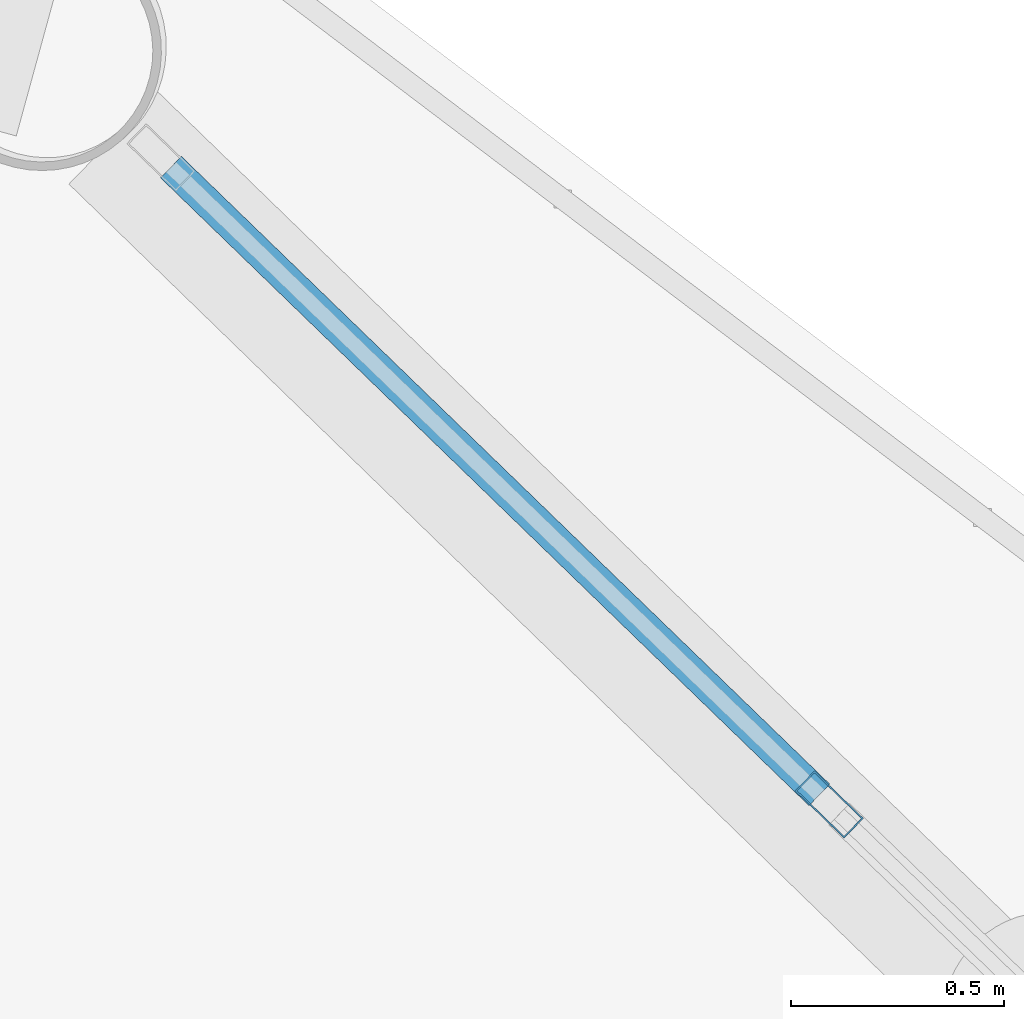
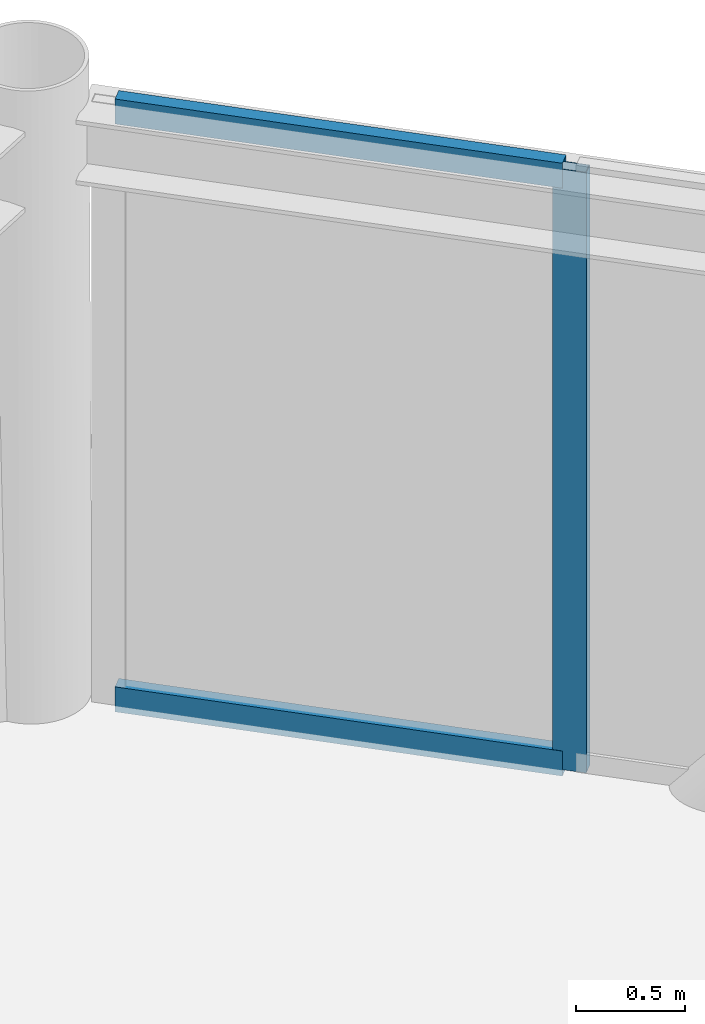
# One storey, part 20 of 27: 3 members, 1 element without a shape of its own.
"""IFC4 building model written with IfcOpenShell, lengths in metres."""

from ifc_helpers import new_model, si_unit, direction, frame, origin, origin_2d, place, context, subcontext, project, spatial, hollow_rectangle, extrude, material, layer, layer_set, material_profile, profile_set, type_object, element, aggregate, save


model = new_model("IFC4")

# Units and contexts
model_context = context("Model", 3, precision=1e-05, world=origin(), true_north=direction((0.0, 1.0)))
body_context = subcontext(model_context, "Body", "Model", "MODEL_VIEW")
ifc_project = project(units=[si_unit("LENGTHUNIT", "METRE"), si_unit("AREAUNIT", "SQUARE_METRE"), si_unit("VOLUMEUNIT", "CUBIC_METRE"), si_unit("PLANEANGLEUNIT", "RADIAN"), si_unit("MASSUNIT", "GRAM", prefix="KILO")], contexts=[model_context])

# Site, building, storey
site_placement = place(None, origin())
site = spatial("IfcSite", under=ifc_project, at=site_placement, CompositionType="ELEMENT")
building_placement = place(site_placement, origin())
building = spatial("IfcBuilding", under=site, at=building_placement, Name="Varnakorn Sky Granary", CompositionType="ELEMENT")
storey_placement = place(building_placement, frame((0.0, 0.0, 229.199951171875)))
storey = spatial("IfcBuildingStorey", under=building, at=storey_placement, Name="L58", CompositionType="ELEMENT", Elevation=229.199951171875)

# Curtain wall, members
ifc_material = material(Name="Anodised Bronze Aluminium Alloy 6063-T6", Category="aluminium")
ifc_layer = layer(ifc_material, 0.169921875, Name="Anodised Bronze Aluminium Alloy 6063-T6")
ifc_layer_set = layer_set([ifc_layer], Name="Anodised Bronze Aluminium Alloy 6063-T6")
curtain_wall_type = type_object("IfcCurtainWallType", Name="CW-LAB-1", PredefinedType="USERDEFINED", material=ifc_layer_set)
curtain_wall_placement = place(storey_placement, origin())
curtain_wall = element("IfcCurtainWall", 1, at=curtain_wall_placement, inside=storey, type_object=curtain_wall_type, Name="Unitised Curtain Wall CW5 CW-L58-B02", ObjectType="CURTAIN WALL", PredefinedType="USERDEFINED")
ifc_material_profile_1 = material_profile(ifc_material, hollow_rectangle(XDim=0.06494140625, YDim=0.159912109375, WallThickness=0.00341796875, at=origin_2d()), Name="ALU MULL 65x160")
ifc_profile_set_1 = profile_set([ifc_material_profile_1], Name="Anodised Bronze Aluminium Alloy 6063-T6")
member_type_1 = type_object("IfcMemberType", Name="CW-LAB-1-MULL", PredefinedType="MULLION", material=ifc_profile_set_1)
member_1_placement = place(storey_placement, frame((16.032470703125, 13.906005859375, 0.0), z_axis=(0.0, 0.0, 1.0), x_axis=(0.695640153276, 0.718390407195, 0.0)))
member_1 = element("IfcMember", 2, at=member_1_placement, type_object=member_type_1, Name="CW5 mullion 2", PredefinedType="MULLION", context=body_context, shape_type="SweptSolid", body=[
    extrude(hollow_rectangle(XDim=0.06494140625, YDim=0.159912109375, WallThickness=0.00341796875, at=origin_2d()), origin(), (0.0, 0.0, 1.0), 3.360107421875),
])
ifc_material_profile_2 = material_profile(ifc_material, hollow_rectangle(XDim=0.070068359375, YDim=0.139892578125, WallThickness=0.00341796875, at=origin_2d()), Name="ALU TRAN 70x140")
ifc_profile_set_2 = profile_set([ifc_material_profile_2], Name="Anodised Bronze Aluminium Alloy 6063-T6")
member_type_2 = type_object("IfcMemberType", Name="CW-LAB-1-TRAN", PredefinedType="USERDEFINED", material=ifc_profile_set_2)
member_2_placement = place(storey_placement, frame((14.489990234375, 15.399658203125, 0.03515625), z_axis=(0.718443930311, -0.695584875482, 0.0), x_axis=(0.695584875482, 0.718443930311, 0.0)))
member_2 = element("IfcMember", 3, at=member_2_placement, type_object=member_type_2, Name="CW5 transom 1.1", ObjectType="TRANSOM", PredefinedType="USERDEFINED", context=body_context, shape_type="SweptSolid", body=[
    extrude(hollow_rectangle(XDim=0.070068359375, YDim=0.139892578125, WallThickness=0.00341796875, at=origin_2d()), origin(), (0.0, 0.0, 1.0), 2.11474609375),
])
member_3_placement = place(storey_placement, frame((14.489990234375, 15.399658203125, 3.324951171875), z_axis=(0.718443930311, -0.695584875482, 0.0), x_axis=(0.695584875482, 0.718443930311, 0.0)))
member_3 = element("IfcMember", 4, at=member_3_placement, type_object=member_type_2, Name="CW5 transom 1.2", ObjectType="TRANSOM", PredefinedType="USERDEFINED", context=body_context, shape_type="SweptSolid", body=[
    extrude(hollow_rectangle(XDim=0.070068359375, YDim=0.139892578125, WallThickness=0.00341796875, at=origin_2d()), origin(), (0.0, 0.0, 1.0), 2.11474609375),
])
aggregate(curtain_wall, [member_1, member_2, member_3])

save(model, "model.ifc")
